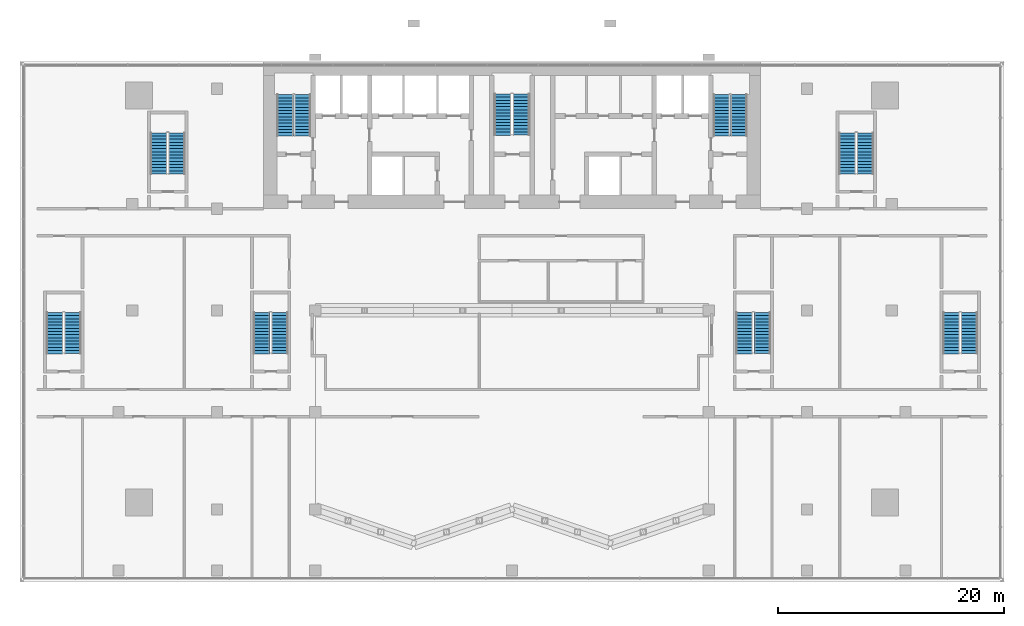
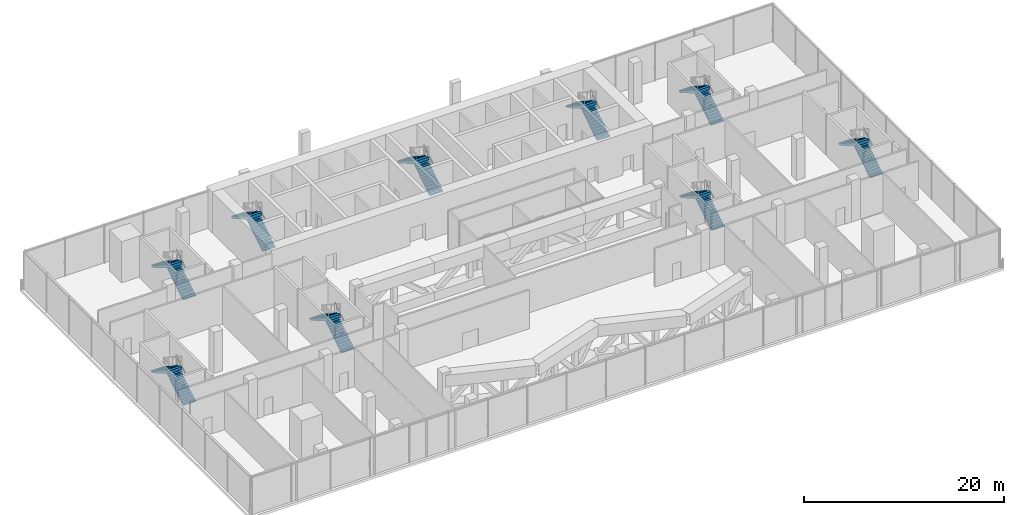
# One storey, part 18 of 22: 18 stair flights, 9 elements without a shape of their own.
"""IFC4 building model written with IfcOpenShell, lengths in metres."""

from ifc_helpers import new_model, si_unit, direction, frame, origin, place, context, subcontext, project, spatial, polyline, outline, extrude, material, type_object, element, aggregate, save


model = new_model("IFC4")

# Units and contexts
model_context = context("Model", 3, precision=1e-05, world=origin(), true_north=direction((0.0, 1.0)))
body_context = subcontext(model_context, "Body", "Model", "MODEL_VIEW")
ifc_project = project(units=[si_unit("LENGTHUNIT", "METRE"), si_unit("AREAUNIT", "SQUARE_METRE"), si_unit("VOLUMEUNIT", "CUBIC_METRE"), si_unit("PLANEANGLEUNIT", "RADIAN"), si_unit("MASSUNIT", "GRAM", prefix="KILO")], contexts=[model_context])

# Site, building, storey
site_placement = place(None, origin())
site = spatial("IfcSite", under=ifc_project, at=site_placement, CompositionType="ELEMENT")
building_placement = place(site_placement, origin())
building = spatial("IfcBuilding", under=site, at=building_placement, Name="Bicima Exchange Tower", CompositionType="ELEMENT")
storey_placement = place(building_placement, frame((0.0, 0.0, 20.0)))
storey = spatial("IfcBuildingStorey", under=building, at=storey_placement, Name="L03", CompositionType="ELEMENT", Elevation=20.0)

# Stair, stair flights
ifc_material = material(Name="Concrete C50/60", Category="concrete")
stair_type_1 = type_object("IfcStairType", Name="Exit stair", PredefinedType="HALF_TURN_STAIR", material=ifc_material)
stair_1_placement = place(storey_placement, origin())
stair_1 = element("IfcStair", 1, at=stair_1_placement, inside=storey, type_object=stair_type_1, Name="L03 West exit stair", PredefinedType="HALF_TURN_STAIR")
stair_flight_type_1 = type_object("IfcStairFlightType", Name="Stair flight RC", PredefinedType="STRAIGHT", material=ifc_material)
stair_flight_1_placement = place(storey_placement, frame((-18.52490234375, -6.550048828125, 0.0), z_axis=(0.0, 0.0, 1.0), x_axis=(0.0, 1.0, 0.0)))
stair_flight_1 = element("IfcStairFlight", 2, at=stair_flight_1_placement, type_object=stair_flight_type_1, Name="ST-W flight 1", NumberOfRisers=14, NumberOfTreads=13, PredefinedType="STRAIGHT", RiserHeight=0.178571429, TreadLength=0.28, context=body_context, shape_type="SweptSolid", body=[
    extrude(outline(polyline([(0.0, 0.0), (0.0, 0.178466796875), (0.280029296875, 0.178466796875), (0.280029296875, 0.357177734375), (0.56005859375, 0.357177734375), (0.56005859375, 0.53564453125), (0.840087890625, 0.53564453125), (0.840087890625, 0.71435546875), (1.1201171875, 0.71435546875), (1.1201171875, 0.892822265625), (1.39990234375, 0.892822265625), (1.39990234375, 1.071533203125), (1.679931640625, 1.071533203125), (1.679931640625, 1.25), (1.9599609375, 1.25), (1.9599609375, 1.428466796875), (2.239990234375, 1.428466796875), (2.239990234375, 1.607177734375), (2.52001953125, 1.607177734375), (2.52001953125, 1.78564453125), (2.800048828125, 1.78564453125), (2.800048828125, 1.96435546875), (3.080078125, 1.96435546875), (3.080078125, 2.142822265625), (3.360107421875, 2.142822265625), (3.360107421875, 2.321533203125), (3.639892578125, 2.321533203125), (3.639892578125, 2.5), (3.639892578125, 2.1435546875), (0.27880859375, 0.0), (0.0, 0.0)])), frame((0.0, 0.72509765625, 0.0), z_axis=(0.0, -1.0, 0.0), x_axis=(1.0, 0.0, 0.0)), (0.0, 0.0, 1.0), 1.449951171875),
])
stair_flight_2_placement = place(storey_placement, frame((-20.074951171875, -2.909912109375, 2.5), z_axis=(0.0, 0.0, 1.0), x_axis=(0.0, -1.0, 0.0)))
stair_flight_2 = element("IfcStairFlight", 3, at=stair_flight_2_placement, type_object=stair_flight_type_1, Name="ST-W flight 2", NumberOfRisers=14, NumberOfTreads=13, PredefinedType="STRAIGHT", RiserHeight=0.178571429, TreadLength=0.28, context=body_context, shape_type="SweptSolid", body=[
    extrude(outline(polyline([(0.0, 0.0), (0.0, 0.178466796875), (0.280029296875, 0.178466796875), (0.280029296875, 0.357177734375), (0.56005859375, 0.357177734375), (0.56005859375, 0.53564453125), (0.840087890625, 0.53564453125), (0.840087890625, 0.71435546875), (1.1201171875, 0.71435546875), (1.1201171875, 0.892822265625), (1.39990234375, 0.892822265625), (1.39990234375, 1.071533203125), (1.679931640625, 1.071533203125), (1.679931640625, 1.25), (1.9599609375, 1.25), (1.9599609375, 1.428466796875), (2.239990234375, 1.428466796875), (2.239990234375, 1.607177734375), (2.52001953125, 1.607177734375), (2.52001953125, 1.78564453125), (2.800048828125, 1.78564453125), (2.800048828125, 1.96435546875), (3.080078125, 1.96435546875), (3.080078125, 2.142822265625), (3.360107421875, 2.142822265625), (3.360107421875, 2.321533203125), (3.639892578125, 2.321533203125), (3.655029296875, 2.321533203125), (3.655029296875, 1.974609375), (0.27880859375, 0.0), (0.0, 0.0)])), frame((0.0, 0.72509765625, 0.0), z_axis=(0.0, -1.0, 0.0), x_axis=(1.0, 0.0, 0.0)), (0.0, 0.0, 1.0), 1.449951171875),
])
aggregate(stair_1, [stair_flight_1, stair_flight_2])

stair_2_placement = place(storey_placement, origin())
stair_2 = element("IfcStair", 4, at=stair_2_placement, inside=storey, type_object=stair_type_1, Name="L03 East exit stair", PredefinedType="HALF_TURN_STAIR")
stair_flight_3_placement = place(storey_placement, frame((20.074951171875, -6.550048828125, 0.0), z_axis=(0.0, 0.0, 1.0), x_axis=(0.0, 1.0, 0.0)))
stair_flight_3 = element("IfcStairFlight", 5, at=stair_flight_3_placement, type_object=stair_flight_type_1, Name="ST-E flight 1", NumberOfRisers=14, NumberOfTreads=13, PredefinedType="STRAIGHT", RiserHeight=0.178571429, TreadLength=0.28, context=body_context, shape_type="SweptSolid", body=[
    extrude(outline(polyline([(0.0, 0.0), (0.0, 0.178466796875), (0.280029296875, 0.178466796875), (0.280029296875, 0.357177734375), (0.56005859375, 0.357177734375), (0.56005859375, 0.53564453125), (0.840087890625, 0.53564453125), (0.840087890625, 0.71435546875), (1.1201171875, 0.71435546875), (1.1201171875, 0.892822265625), (1.39990234375, 0.892822265625), (1.39990234375, 1.071533203125), (1.679931640625, 1.071533203125), (1.679931640625, 1.25), (1.9599609375, 1.25), (1.9599609375, 1.428466796875), (2.239990234375, 1.428466796875), (2.239990234375, 1.607177734375), (2.52001953125, 1.607177734375), (2.52001953125, 1.78564453125), (2.800048828125, 1.78564453125), (2.800048828125, 1.96435546875), (3.080078125, 1.96435546875), (3.080078125, 2.142822265625), (3.360107421875, 2.142822265625), (3.360107421875, 2.321533203125), (3.639892578125, 2.321533203125), (3.639892578125, 2.5), (3.639892578125, 2.1435546875), (0.27880859375, 0.0), (0.0, 0.0)])), frame((0.0, 0.72509765625, 0.0), z_axis=(0.0, -1.0, 0.0), x_axis=(1.0, 0.0, 0.0)), (0.0, 0.0, 1.0), 1.449951171875),
])
stair_flight_4_placement = place(storey_placement, frame((18.52490234375, -2.909912109375, 2.5), z_axis=(0.0, 0.0, 1.0), x_axis=(0.0, -1.0, 0.0)))
stair_flight_4 = element("IfcStairFlight", 6, at=stair_flight_4_placement, type_object=stair_flight_type_1, Name="ST-E flight 2", NumberOfRisers=14, NumberOfTreads=13, PredefinedType="STRAIGHT", RiserHeight=0.178571429, TreadLength=0.28, context=body_context, shape_type="SweptSolid", body=[
    extrude(outline(polyline([(0.0, 0.0), (0.0, 0.178466796875), (0.280029296875, 0.178466796875), (0.280029296875, 0.357177734375), (0.56005859375, 0.357177734375), (0.56005859375, 0.53564453125), (0.840087890625, 0.53564453125), (0.840087890625, 0.71435546875), (1.1201171875, 0.71435546875), (1.1201171875, 0.892822265625), (1.39990234375, 0.892822265625), (1.39990234375, 1.071533203125), (1.679931640625, 1.071533203125), (1.679931640625, 1.25), (1.9599609375, 1.25), (1.9599609375, 1.428466796875), (2.239990234375, 1.428466796875), (2.239990234375, 1.607177734375), (2.52001953125, 1.607177734375), (2.52001953125, 1.78564453125), (2.800048828125, 1.78564453125), (2.800048828125, 1.96435546875), (3.080078125, 1.96435546875), (3.080078125, 2.142822265625), (3.360107421875, 2.142822265625), (3.360107421875, 2.321533203125), (3.639892578125, 2.321533203125), (3.655029296875, 2.321533203125), (3.655029296875, 1.974609375), (0.27880859375, 0.0), (0.0, 0.0)])), frame((0.0, 0.72509765625, 0.0), z_axis=(0.0, -1.0, 0.0), x_axis=(1.0, 0.0, 0.0)), (0.0, 0.0, 1.0), 1.449951171875),
])
aggregate(stair_2, [stair_flight_3, stair_flight_4])

stair_3_placement = place(storey_placement, origin())
stair_3 = element("IfcStair", 7, at=stair_3_placement, inside=storey, type_object=stair_type_1, Name="L03 West end exit stair", PredefinedType="HALF_TURN_STAIR")
stair_flight_5_placement = place(storey_placement, frame((-29.64990234375, -9.925048828125, 0.0), z_axis=(0.0, 0.0, 1.0), x_axis=(0.0, 1.0, 0.0)))
stair_flight_5 = element("IfcStairFlight", 8, at=stair_flight_5_placement, type_object=stair_flight_type_1, Name="ST-WW flight 1", NumberOfRisers=14, NumberOfTreads=13, PredefinedType="STRAIGHT", RiserHeight=0.178571429, TreadLength=0.28, context=body_context, shape_type="SweptSolid", body=[
    extrude(outline(polyline([(0.0, 0.0), (0.0, 0.178466796875), (0.280029296875, 0.178466796875), (0.280029296875, 0.357177734375), (0.56005859375, 0.357177734375), (0.56005859375, 0.53564453125), (0.840087890625, 0.53564453125), (0.840087890625, 0.71435546875), (1.1201171875, 0.71435546875), (1.1201171875, 0.892822265625), (1.39990234375, 0.892822265625), (1.39990234375, 1.071533203125), (1.679931640625, 1.071533203125), (1.679931640625, 1.25), (1.9599609375, 1.25), (1.9599609375, 1.428466796875), (2.239990234375, 1.428466796875), (2.239990234375, 1.607177734375), (2.52001953125, 1.607177734375), (2.52001953125, 1.78564453125), (2.800048828125, 1.78564453125), (2.800048828125, 1.96435546875), (3.080078125, 1.96435546875), (3.080078125, 2.142822265625), (3.360107421875, 2.142822265625), (3.360107421875, 2.321533203125), (3.639892578125, 2.321533203125), (3.639892578125, 2.5), (3.639892578125, 2.1435546875), (0.27880859375, 0.0), (0.0, 0.0)])), frame((0.0, 0.72509765625, 0.0), z_axis=(0.0, -1.0, 0.0), x_axis=(1.0, 0.0, 0.0)), (0.0, 0.0, 1.0), 1.449951171875),
])
stair_flight_6_placement = place(storey_placement, frame((-31.25, -6.284912109375, 2.5), z_axis=(0.0, 0.0, 1.0), x_axis=(0.0, -1.0, 0.0)))
stair_flight_6 = element("IfcStairFlight", 9, at=stair_flight_6_placement, type_object=stair_flight_type_1, Name="ST-WW flight 2", NumberOfRisers=14, NumberOfTreads=13, PredefinedType="STRAIGHT", RiserHeight=0.178571429, TreadLength=0.28, context=body_context, shape_type="SweptSolid", body=[
    extrude(outline(polyline([(0.0, 0.0), (0.0, 0.178466796875), (0.280029296875, 0.178466796875), (0.280029296875, 0.357177734375), (0.56005859375, 0.357177734375), (0.56005859375, 0.53564453125), (0.840087890625, 0.53564453125), (0.840087890625, 0.71435546875), (1.1201171875, 0.71435546875), (1.1201171875, 0.892822265625), (1.39990234375, 0.892822265625), (1.39990234375, 1.071533203125), (1.679931640625, 1.071533203125), (1.679931640625, 1.25), (1.9599609375, 1.25), (1.9599609375, 1.428466796875), (2.239990234375, 1.428466796875), (2.239990234375, 1.607177734375), (2.52001953125, 1.607177734375), (2.52001953125, 1.78564453125), (2.800048828125, 1.78564453125), (2.800048828125, 1.96435546875), (3.080078125, 1.96435546875), (3.080078125, 2.142822265625), (3.360107421875, 2.142822265625), (3.360107421875, 2.321533203125), (3.639892578125, 2.321533203125), (3.655029296875, 2.321533203125), (3.655029296875, 1.974609375), (0.27880859375, 0.0), (0.0, 0.0)])), frame((0.0, 0.72509765625, 0.0), z_axis=(0.0, -1.0, 0.0), x_axis=(1.0, 0.0, 0.0)), (0.0, 0.0, 1.0), 1.449951171875),
])
aggregate(stair_3, [stair_flight_5, stair_flight_6])

stair_4_placement = place(storey_placement, origin())
stair_4 = element("IfcStair", 10, at=stair_4_placement, inside=storey, type_object=stair_type_1, Name="L03 East end exit stair", PredefinedType="HALF_TURN_STAIR")
stair_flight_7_placement = place(storey_placement, frame((31.25, -9.925048828125, 0.0), z_axis=(0.0, 0.0, 1.0), x_axis=(0.0, 1.0, 0.0)))
stair_flight_7 = element("IfcStairFlight", 11, at=stair_flight_7_placement, type_object=stair_flight_type_1, Name="ST-EE flight 1", NumberOfRisers=14, NumberOfTreads=13, PredefinedType="STRAIGHT", RiserHeight=0.178571429, TreadLength=0.28, context=body_context, shape_type="SweptSolid", body=[
    extrude(outline(polyline([(0.0, 0.0), (0.0, 0.178466796875), (0.280029296875, 0.178466796875), (0.280029296875, 0.357177734375), (0.56005859375, 0.357177734375), (0.56005859375, 0.53564453125), (0.840087890625, 0.53564453125), (0.840087890625, 0.71435546875), (1.1201171875, 0.71435546875), (1.1201171875, 0.892822265625), (1.39990234375, 0.892822265625), (1.39990234375, 1.071533203125), (1.679931640625, 1.071533203125), (1.679931640625, 1.25), (1.9599609375, 1.25), (1.9599609375, 1.428466796875), (2.239990234375, 1.428466796875), (2.239990234375, 1.607177734375), (2.52001953125, 1.607177734375), (2.52001953125, 1.78564453125), (2.800048828125, 1.78564453125), (2.800048828125, 1.96435546875), (3.080078125, 1.96435546875), (3.080078125, 2.142822265625), (3.360107421875, 2.142822265625), (3.360107421875, 2.321533203125), (3.639892578125, 2.321533203125), (3.639892578125, 2.5), (3.639892578125, 2.1435546875), (0.27880859375, 0.0), (0.0, 0.0)])), frame((0.0, 0.72509765625, 0.0), z_axis=(0.0, -1.0, 0.0), x_axis=(1.0, 0.0, 0.0)), (0.0, 0.0, 1.0), 1.449951171875),
])
stair_flight_8_placement = place(storey_placement, frame((29.64990234375, -6.284912109375, 2.5), z_axis=(0.0, 0.0, 1.0), x_axis=(0.0, -1.0, 0.0)))
stair_flight_8 = element("IfcStairFlight", 12, at=stair_flight_8_placement, type_object=stair_flight_type_1, Name="ST-EE flight 2", NumberOfRisers=14, NumberOfTreads=13, PredefinedType="STRAIGHT", RiserHeight=0.178571429, TreadLength=0.28, context=body_context, shape_type="SweptSolid", body=[
    extrude(outline(polyline([(0.0, 0.0), (0.0, 0.178466796875), (0.280029296875, 0.178466796875), (0.280029296875, 0.357177734375), (0.56005859375, 0.357177734375), (0.56005859375, 0.53564453125), (0.840087890625, 0.53564453125), (0.840087890625, 0.71435546875), (1.1201171875, 0.71435546875), (1.1201171875, 0.892822265625), (1.39990234375, 0.892822265625), (1.39990234375, 1.071533203125), (1.679931640625, 1.071533203125), (1.679931640625, 1.25), (1.9599609375, 1.25), (1.9599609375, 1.428466796875), (2.239990234375, 1.428466796875), (2.239990234375, 1.607177734375), (2.52001953125, 1.607177734375), (2.52001953125, 1.78564453125), (2.800048828125, 1.78564453125), (2.800048828125, 1.96435546875), (3.080078125, 1.96435546875), (3.080078125, 2.142822265625), (3.360107421875, 2.142822265625), (3.360107421875, 2.321533203125), (3.639892578125, 2.321533203125), (3.655029296875, 2.321533203125), (3.655029296875, 1.974609375), (0.27880859375, 0.0), (0.0, 0.0)])), frame((0.0, 0.72509765625, 0.0), z_axis=(0.0, -1.0, 0.0), x_axis=(1.0, 0.0, 0.0)), (0.0, 0.0, 1.0), 1.449951171875),
])
aggregate(stair_4, [stair_flight_7, stair_flight_8])

stair_5_placement = place(storey_placement, origin())
stair_5 = element("IfcStair", 13, at=stair_5_placement, inside=storey, type_object=stair_type_1, Name="L03 Podium west stair", PredefinedType="HALF_TURN_STAIR")
stair_flight_9_placement = place(storey_placement, frame((-38.85009765625, -25.824951171875, 0.0), z_axis=(0.0, 0.0, 1.0), x_axis=(0.0, 1.0, 0.0)))
stair_flight_9 = element("IfcStairFlight", 14, at=stair_flight_9_placement, type_object=stair_flight_type_1, Name="PS-W flight 1", NumberOfRisers=14, NumberOfTreads=13, PredefinedType="STRAIGHT", RiserHeight=0.178571429, TreadLength=0.28, context=body_context, shape_type="SweptSolid", body=[
    extrude(outline(polyline([(0.0, 0.0), (0.0, 0.178466796875), (0.280029296875, 0.178466796875), (0.280029296875, 0.357177734375), (0.56005859375, 0.357177734375), (0.56005859375, 0.53564453125), (0.840087890625, 0.53564453125), (0.840087890625, 0.71435546875), (1.1201171875, 0.71435546875), (1.1201171875, 0.892822265625), (1.39990234375, 0.892822265625), (1.39990234375, 1.071533203125), (1.679931640625, 1.071533203125), (1.679931640625, 1.25), (1.9599609375, 1.25), (1.9599609375, 1.428466796875), (2.239990234375, 1.428466796875), (2.239990234375, 1.607177734375), (2.52001953125, 1.607177734375), (2.52001953125, 1.78564453125), (2.800048828125, 1.78564453125), (2.800048828125, 1.96435546875), (3.080078125, 1.96435546875), (3.080078125, 2.142822265625), (3.360107421875, 2.142822265625), (3.360107421875, 2.321533203125), (3.639892578125, 2.321533203125), (3.639892578125, 2.5), (3.639892578125, 2.1435546875), (0.27880859375, 0.0), (0.0, 0.0)])), frame((0.0, 0.72509765625, 0.0), z_axis=(0.0, -1.0, 0.0), x_axis=(1.0, 0.0, 0.0)), (0.0, 0.0, 1.0), 1.449951171875),
])
stair_flight_10_placement = place(storey_placement, frame((-40.449951171875, -22.18505859375, 2.5), z_axis=(0.0, 0.0, 1.0), x_axis=(0.0, -1.0, 0.0)))
stair_flight_10 = element("IfcStairFlight", 15, at=stair_flight_10_placement, type_object=stair_flight_type_1, Name="PS-W flight 2", NumberOfRisers=14, NumberOfTreads=13, PredefinedType="STRAIGHT", RiserHeight=0.178571429, TreadLength=0.28, context=body_context, shape_type="SweptSolid", body=[
    extrude(outline(polyline([(0.0, 0.0), (0.0, 0.178466796875), (0.280029296875, 0.178466796875), (0.280029296875, 0.357177734375), (0.56005859375, 0.357177734375), (0.56005859375, 0.53564453125), (0.840087890625, 0.53564453125), (0.840087890625, 0.71435546875), (1.1201171875, 0.71435546875), (1.1201171875, 0.892822265625), (1.39990234375, 0.892822265625), (1.39990234375, 1.071533203125), (1.679931640625, 1.071533203125), (1.679931640625, 1.25), (1.9599609375, 1.25), (1.9599609375, 1.428466796875), (2.239990234375, 1.428466796875), (2.239990234375, 1.607177734375), (2.52001953125, 1.607177734375), (2.52001953125, 1.78564453125), (2.800048828125, 1.78564453125), (2.800048828125, 1.96435546875), (3.080078125, 1.96435546875), (3.080078125, 2.142822265625), (3.360107421875, 2.142822265625), (3.360107421875, 2.321533203125), (3.639892578125, 2.321533203125), (3.655029296875, 2.321533203125), (3.655029296875, 1.974609375), (0.27880859375, 0.0), (0.0, 0.0)])), frame((0.0, 0.72509765625, 0.0), z_axis=(0.0, -1.0, 0.0), x_axis=(1.0, 0.0, 0.0)), (0.0, 0.0, 1.0), 1.449951171875),
])
aggregate(stair_5, [stair_flight_9, stair_flight_10])

stair_6_placement = place(storey_placement, origin())
stair_6 = element("IfcStair", 16, at=stair_6_placement, inside=storey, type_object=stair_type_1, Name="L03 Podium inner west stair", PredefinedType="HALF_TURN_STAIR")
stair_flight_11_placement = place(storey_placement, frame((-20.550048828125, -25.824951171875, 0.0), z_axis=(0.0, 0.0, 1.0), x_axis=(0.0, 1.0, 0.0)))
stair_flight_11 = element("IfcStairFlight", 17, at=stair_flight_11_placement, type_object=stair_flight_type_1, Name="PS-WI flight 1", NumberOfRisers=14, NumberOfTreads=13, PredefinedType="STRAIGHT", RiserHeight=0.178571429, TreadLength=0.28, context=body_context, shape_type="SweptSolid", body=[
    extrude(outline(polyline([(0.0, 0.0), (0.0, 0.178466796875), (0.280029296875, 0.178466796875), (0.280029296875, 0.357177734375), (0.56005859375, 0.357177734375), (0.56005859375, 0.53564453125), (0.840087890625, 0.53564453125), (0.840087890625, 0.71435546875), (1.1201171875, 0.71435546875), (1.1201171875, 0.892822265625), (1.39990234375, 0.892822265625), (1.39990234375, 1.071533203125), (1.679931640625, 1.071533203125), (1.679931640625, 1.25), (1.9599609375, 1.25), (1.9599609375, 1.428466796875), (2.239990234375, 1.428466796875), (2.239990234375, 1.607177734375), (2.52001953125, 1.607177734375), (2.52001953125, 1.78564453125), (2.800048828125, 1.78564453125), (2.800048828125, 1.96435546875), (3.080078125, 1.96435546875), (3.080078125, 2.142822265625), (3.360107421875, 2.142822265625), (3.360107421875, 2.321533203125), (3.639892578125, 2.321533203125), (3.639892578125, 2.5), (3.639892578125, 2.1435546875), (0.27880859375, 0.0), (0.0, 0.0)])), frame((0.0, 0.72509765625, 0.0), z_axis=(0.0, -1.0, 0.0), x_axis=(1.0, 0.0, 0.0)), (0.0, 0.0, 1.0), 1.449951171875),
])
stair_flight_12_placement = place(storey_placement, frame((-22.14990234375, -22.18505859375, 2.5), z_axis=(0.0, 0.0, 1.0), x_axis=(0.0, -1.0, 0.0)))
stair_flight_12 = element("IfcStairFlight", 18, at=stair_flight_12_placement, type_object=stair_flight_type_1, Name="PS-WI flight 2", NumberOfRisers=14, NumberOfTreads=13, PredefinedType="STRAIGHT", RiserHeight=0.178571429, TreadLength=0.28, context=body_context, shape_type="SweptSolid", body=[
    extrude(outline(polyline([(0.0, 0.0), (0.0, 0.178466796875), (0.280029296875, 0.178466796875), (0.280029296875, 0.357177734375), (0.56005859375, 0.357177734375), (0.56005859375, 0.53564453125), (0.840087890625, 0.53564453125), (0.840087890625, 0.71435546875), (1.1201171875, 0.71435546875), (1.1201171875, 0.892822265625), (1.39990234375, 0.892822265625), (1.39990234375, 1.071533203125), (1.679931640625, 1.071533203125), (1.679931640625, 1.25), (1.9599609375, 1.25), (1.9599609375, 1.428466796875), (2.239990234375, 1.428466796875), (2.239990234375, 1.607177734375), (2.52001953125, 1.607177734375), (2.52001953125, 1.78564453125), (2.800048828125, 1.78564453125), (2.800048828125, 1.96435546875), (3.080078125, 1.96435546875), (3.080078125, 2.142822265625), (3.360107421875, 2.142822265625), (3.360107421875, 2.321533203125), (3.639892578125, 2.321533203125), (3.655029296875, 2.321533203125), (3.655029296875, 1.974609375), (0.27880859375, 0.0), (0.0, 0.0)])), frame((0.0, 0.72509765625, 0.0), z_axis=(0.0, -1.0, 0.0), x_axis=(1.0, 0.0, 0.0)), (0.0, 0.0, 1.0), 1.449951171875),
])
aggregate(stair_6, [stair_flight_11, stair_flight_12])

stair_7_placement = place(storey_placement, origin())
stair_7 = element("IfcStair", 19, at=stair_7_placement, inside=storey, type_object=stair_type_1, Name="L03 Podium inner east stair", PredefinedType="HALF_TURN_STAIR")
stair_flight_13_placement = place(storey_placement, frame((22.14990234375, -25.824951171875, 0.0), z_axis=(0.0, 0.0, 1.0), x_axis=(0.0, 1.0, 0.0)))
stair_flight_13 = element("IfcStairFlight", 20, at=stair_flight_13_placement, type_object=stair_flight_type_1, Name="PS-EI flight 1", NumberOfRisers=14, NumberOfTreads=13, PredefinedType="STRAIGHT", RiserHeight=0.178571429, TreadLength=0.28, context=body_context, shape_type="SweptSolid", body=[
    extrude(outline(polyline([(0.0, 0.0), (0.0, 0.178466796875), (0.280029296875, 0.178466796875), (0.280029296875, 0.357177734375), (0.56005859375, 0.357177734375), (0.56005859375, 0.53564453125), (0.840087890625, 0.53564453125), (0.840087890625, 0.71435546875), (1.1201171875, 0.71435546875), (1.1201171875, 0.892822265625), (1.39990234375, 0.892822265625), (1.39990234375, 1.071533203125), (1.679931640625, 1.071533203125), (1.679931640625, 1.25), (1.9599609375, 1.25), (1.9599609375, 1.428466796875), (2.239990234375, 1.428466796875), (2.239990234375, 1.607177734375), (2.52001953125, 1.607177734375), (2.52001953125, 1.78564453125), (2.800048828125, 1.78564453125), (2.800048828125, 1.96435546875), (3.080078125, 1.96435546875), (3.080078125, 2.142822265625), (3.360107421875, 2.142822265625), (3.360107421875, 2.321533203125), (3.639892578125, 2.321533203125), (3.639892578125, 2.5), (3.639892578125, 2.1435546875), (0.27880859375, 0.0), (0.0, 0.0)])), frame((0.0, 0.72509765625, 0.0), z_axis=(0.0, -1.0, 0.0), x_axis=(1.0, 0.0, 0.0)), (0.0, 0.0, 1.0), 1.449951171875),
])
stair_flight_14_placement = place(storey_placement, frame((20.550048828125, -22.18505859375, 2.5), z_axis=(0.0, 0.0, 1.0), x_axis=(0.0, -1.0, 0.0)))
stair_flight_14 = element("IfcStairFlight", 21, at=stair_flight_14_placement, type_object=stair_flight_type_1, Name="PS-EI flight 2", NumberOfRisers=14, NumberOfTreads=13, PredefinedType="STRAIGHT", RiserHeight=0.178571429, TreadLength=0.28, context=body_context, shape_type="SweptSolid", body=[
    extrude(outline(polyline([(0.0, 0.0), (0.0, 0.178466796875), (0.280029296875, 0.178466796875), (0.280029296875, 0.357177734375), (0.56005859375, 0.357177734375), (0.56005859375, 0.53564453125), (0.840087890625, 0.53564453125), (0.840087890625, 0.71435546875), (1.1201171875, 0.71435546875), (1.1201171875, 0.892822265625), (1.39990234375, 0.892822265625), (1.39990234375, 1.071533203125), (1.679931640625, 1.071533203125), (1.679931640625, 1.25), (1.9599609375, 1.25), (1.9599609375, 1.428466796875), (2.239990234375, 1.428466796875), (2.239990234375, 1.607177734375), (2.52001953125, 1.607177734375), (2.52001953125, 1.78564453125), (2.800048828125, 1.78564453125), (2.800048828125, 1.96435546875), (3.080078125, 1.96435546875), (3.080078125, 2.142822265625), (3.360107421875, 2.142822265625), (3.360107421875, 2.321533203125), (3.639892578125, 2.321533203125), (3.655029296875, 2.321533203125), (3.655029296875, 1.974609375), (0.27880859375, 0.0), (0.0, 0.0)])), frame((0.0, 0.72509765625, 0.0), z_axis=(0.0, -1.0, 0.0), x_axis=(1.0, 0.0, 0.0)), (0.0, 0.0, 1.0), 1.449951171875),
])
aggregate(stair_7, [stair_flight_13, stair_flight_14])

stair_8_placement = place(storey_placement, origin())
stair_8 = element("IfcStair", 22, at=stair_8_placement, inside=storey, type_object=stair_type_1, Name="L03 Podium east stair", PredefinedType="HALF_TURN_STAIR")
stair_flight_15_placement = place(storey_placement, frame((40.449951171875, -25.824951171875, 0.0), z_axis=(0.0, 0.0, 1.0), x_axis=(0.0, 1.0, 0.0)))
stair_flight_15 = element("IfcStairFlight", 23, at=stair_flight_15_placement, type_object=stair_flight_type_1, Name="PS-E flight 1", NumberOfRisers=14, NumberOfTreads=13, PredefinedType="STRAIGHT", RiserHeight=0.178571429, TreadLength=0.28, context=body_context, shape_type="SweptSolid", body=[
    extrude(outline(polyline([(0.0, 0.0), (0.0, 0.178466796875), (0.280029296875, 0.178466796875), (0.280029296875, 0.357177734375), (0.56005859375, 0.357177734375), (0.56005859375, 0.53564453125), (0.840087890625, 0.53564453125), (0.840087890625, 0.71435546875), (1.1201171875, 0.71435546875), (1.1201171875, 0.892822265625), (1.39990234375, 0.892822265625), (1.39990234375, 1.071533203125), (1.679931640625, 1.071533203125), (1.679931640625, 1.25), (1.9599609375, 1.25), (1.9599609375, 1.428466796875), (2.239990234375, 1.428466796875), (2.239990234375, 1.607177734375), (2.52001953125, 1.607177734375), (2.52001953125, 1.78564453125), (2.800048828125, 1.78564453125), (2.800048828125, 1.96435546875), (3.080078125, 1.96435546875), (3.080078125, 2.142822265625), (3.360107421875, 2.142822265625), (3.360107421875, 2.321533203125), (3.639892578125, 2.321533203125), (3.639892578125, 2.5), (3.639892578125, 2.1435546875), (0.27880859375, 0.0), (0.0, 0.0)])), frame((0.0, 0.72509765625, 0.0), z_axis=(0.0, -1.0, 0.0), x_axis=(1.0, 0.0, 0.0)), (0.0, 0.0, 1.0), 1.449951171875),
])
stair_flight_16_placement = place(storey_placement, frame((38.85009765625, -22.18505859375, 2.5), z_axis=(0.0, 0.0, 1.0), x_axis=(0.0, -1.0, 0.0)))
stair_flight_16 = element("IfcStairFlight", 24, at=stair_flight_16_placement, type_object=stair_flight_type_1, Name="PS-E flight 2", NumberOfRisers=14, NumberOfTreads=13, PredefinedType="STRAIGHT", RiserHeight=0.178571429, TreadLength=0.28, context=body_context, shape_type="SweptSolid", body=[
    extrude(outline(polyline([(0.0, 0.0), (0.0, 0.178466796875), (0.280029296875, 0.178466796875), (0.280029296875, 0.357177734375), (0.56005859375, 0.357177734375), (0.56005859375, 0.53564453125), (0.840087890625, 0.53564453125), (0.840087890625, 0.71435546875), (1.1201171875, 0.71435546875), (1.1201171875, 0.892822265625), (1.39990234375, 0.892822265625), (1.39990234375, 1.071533203125), (1.679931640625, 1.071533203125), (1.679931640625, 1.25), (1.9599609375, 1.25), (1.9599609375, 1.428466796875), (2.239990234375, 1.428466796875), (2.239990234375, 1.607177734375), (2.52001953125, 1.607177734375), (2.52001953125, 1.78564453125), (2.800048828125, 1.78564453125), (2.800048828125, 1.96435546875), (3.080078125, 1.96435546875), (3.080078125, 2.142822265625), (3.360107421875, 2.142822265625), (3.360107421875, 2.321533203125), (3.639892578125, 2.321533203125), (3.655029296875, 2.321533203125), (3.655029296875, 1.974609375), (0.27880859375, 0.0), (0.0, 0.0)])), frame((0.0, 0.72509765625, 0.0), z_axis=(0.0, -1.0, 0.0), x_axis=(1.0, 0.0, 0.0)), (0.0, 0.0, 1.0), 1.449951171875),
])
aggregate(stair_8, [stair_flight_15, stair_flight_16])

stair_type_2 = type_object("IfcStairType", Name="Exit stair 1500", PredefinedType="HALF_TURN_STAIR", material=ifc_material)
stair_9_placement = place(storey_placement, origin())
stair_9 = element("IfcStair", 25, at=stair_9_placement, inside=storey, type_object=stair_type_2, Name="L03 Central exit stair", PredefinedType="HALF_TURN_STAIR")
stair_flight_type_2 = type_object("IfcStairFlightType", Name="Stair flight RC 1500", PredefinedType="STRAIGHT", material=ifc_material)
stair_flight_17_placement = place(storey_placement, frame((0.824951171875, -6.5, 0.0), z_axis=(0.0, 0.0, 1.0), x_axis=(0.0, 1.0, 0.0)))
stair_flight_17 = element("IfcStairFlight", 26, at=stair_flight_17_placement, type_object=stair_flight_type_2, Name="ST-C flight 1", NumberOfRisers=14, NumberOfTreads=13, PredefinedType="STRAIGHT", RiserHeight=0.178571429, TreadLength=0.28, context=body_context, shape_type="SweptSolid", body=[
    extrude(outline(polyline([(0.0, 0.0), (0.0, 0.178466796875), (0.280029296875, 0.178466796875), (0.280029296875, 0.357177734375), (0.56005859375, 0.357177734375), (0.56005859375, 0.53564453125), (0.840087890625, 0.53564453125), (0.840087890625, 0.71435546875), (1.1201171875, 0.71435546875), (1.1201171875, 0.892822265625), (1.39990234375, 0.892822265625), (1.39990234375, 1.071533203125), (1.679931640625, 1.071533203125), (1.679931640625, 1.25), (1.9599609375, 1.25), (1.9599609375, 1.428466796875), (2.239990234375, 1.428466796875), (2.239990234375, 1.607177734375), (2.52001953125, 1.607177734375), (2.52001953125, 1.78564453125), (2.800048828125, 1.78564453125), (2.800048828125, 1.96435546875), (3.080078125, 1.96435546875), (3.080078125, 2.142822265625), (3.360107421875, 2.142822265625), (3.360107421875, 2.321533203125), (3.639892578125, 2.321533203125), (3.639892578125, 2.5), (3.639892578125, 2.1435546875), (0.27880859375, 0.0), (0.0, 0.0)])), frame((0.0, 0.75, 0.0), z_axis=(0.0, -1.0, 0.0), x_axis=(1.0, 0.0, 0.0)), (0.0, 0.0, 1.0), 1.5),
])
stair_flight_18_placement = place(storey_placement, frame((-0.824951171875, -2.860107421875, 2.5), z_axis=(0.0, 0.0, 1.0), x_axis=(0.0, -1.0, 0.0)))
stair_flight_18 = element("IfcStairFlight", 27, at=stair_flight_18_placement, type_object=stair_flight_type_2, Name="ST-C flight 2", NumberOfRisers=14, NumberOfTreads=13, PredefinedType="STRAIGHT", RiserHeight=0.178571429, TreadLength=0.28, context=body_context, shape_type="SweptSolid", body=[
    extrude(outline(polyline([(0.0, 0.0), (0.0, 0.178466796875), (0.280029296875, 0.178466796875), (0.280029296875, 0.357177734375), (0.56005859375, 0.357177734375), (0.56005859375, 0.53564453125), (0.840087890625, 0.53564453125), (0.840087890625, 0.71435546875), (1.1201171875, 0.71435546875), (1.1201171875, 0.892822265625), (1.39990234375, 0.892822265625), (1.39990234375, 1.071533203125), (1.679931640625, 1.071533203125), (1.679931640625, 1.25), (1.9599609375, 1.25), (1.9599609375, 1.428466796875), (2.239990234375, 1.428466796875), (2.239990234375, 1.607177734375), (2.52001953125, 1.607177734375), (2.52001953125, 1.78564453125), (2.800048828125, 1.78564453125), (2.800048828125, 1.96435546875), (3.080078125, 1.96435546875), (3.080078125, 2.142822265625), (3.360107421875, 2.142822265625), (3.360107421875, 2.321533203125), (3.639892578125, 2.321533203125), (3.655029296875, 2.321533203125), (3.655029296875, 1.974609375), (0.27880859375, 0.0), (0.0, 0.0)])), frame((0.0, 0.75, 0.0), z_axis=(0.0, -1.0, 0.0), x_axis=(1.0, 0.0, 0.0)), (0.0, 0.0, 1.0), 1.5),
])
aggregate(stair_9, [stair_flight_17, stair_flight_18])

save(model, "model.ifc")
